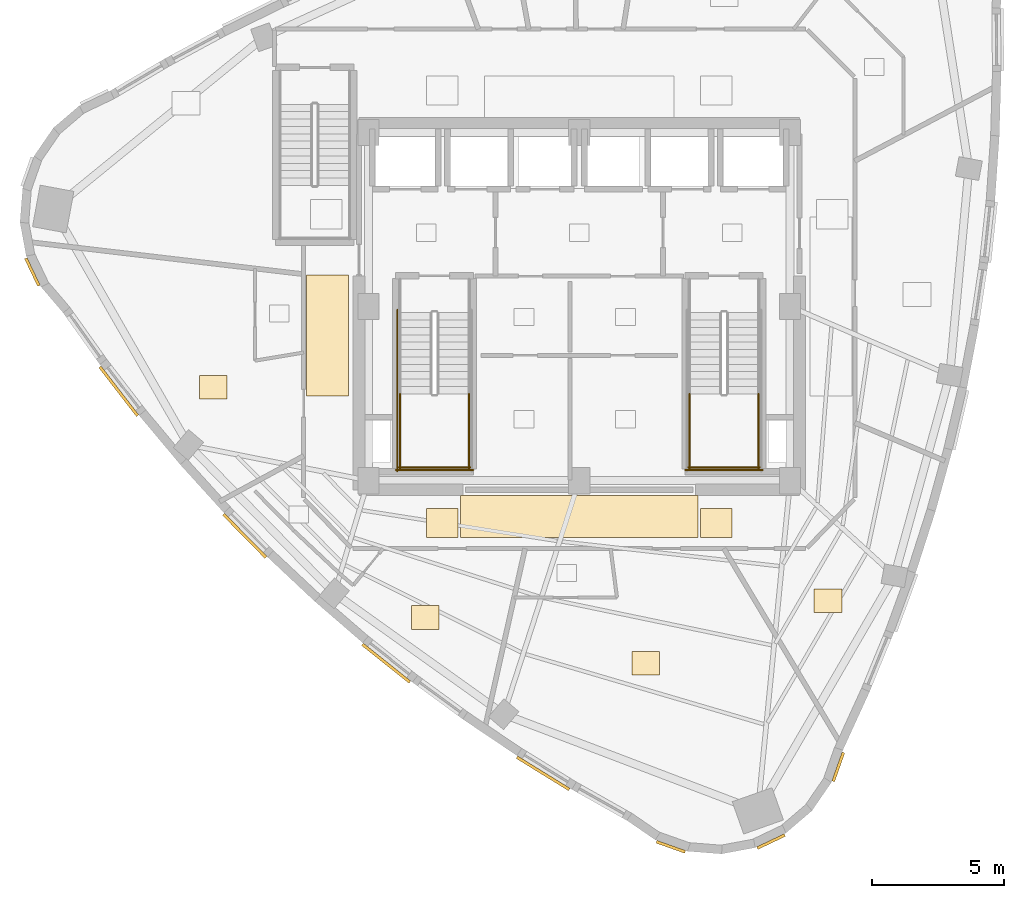
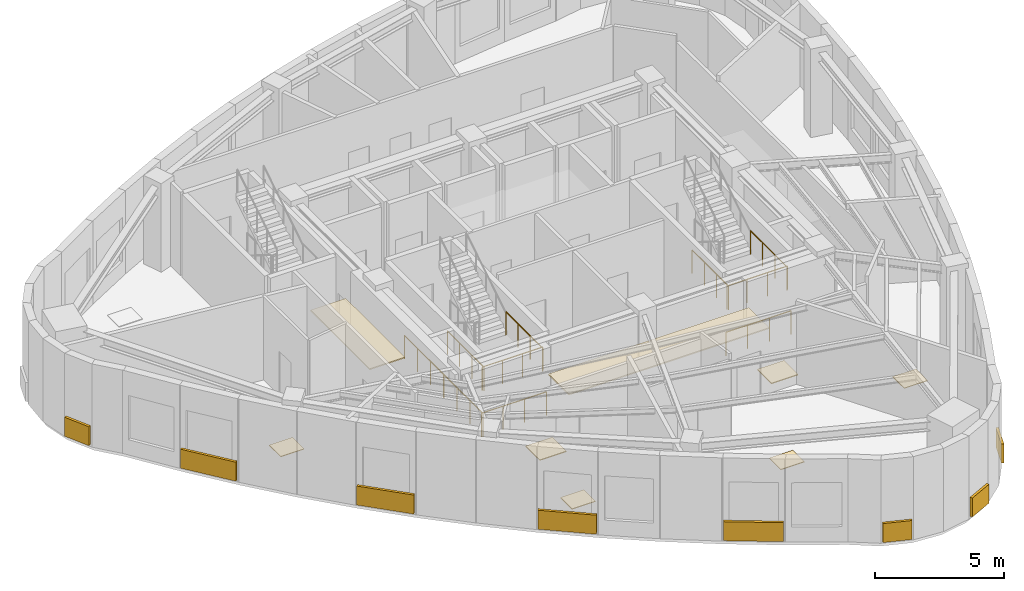
# One storey, part 7 of 9: 16 coverings, 9 railings.
"""IFC4 building model written with IfcOpenShell, lengths in metres."""

from ifc_helpers import new_model, si_unit, direction, frame, origin, origin_2d, place, context, subcontext, project, spatial, rectangle, circle, extrude, material, layer, layer_set, type_object, element, save


model = new_model("IFC4")

# Units and contexts
model_context = context("Model", 3, precision=1e-05, world=origin(), true_north=direction((0.0, 1.0)))
body_context = subcontext(model_context, "Body", "Model", "MODEL_VIEW")
ifc_project = project(units=[si_unit("LENGTHUNIT", "METRE"), si_unit("AREAUNIT", "SQUARE_METRE"), si_unit("VOLUMEUNIT", "CUBIC_METRE"), si_unit("PLANEANGLEUNIT", "RADIAN"), si_unit("MASSUNIT", "GRAM", prefix="KILO")], contexts=[model_context])

# Site, building, storey
site_placement = place(None, origin())
site = spatial("IfcSite", under=ifc_project, at=site_placement, CompositionType="ELEMENT")
building_placement = place(site_placement, origin())
building = spatial("IfcBuilding", under=site, at=building_placement, Name="Ndelora Gate Hotel", CompositionType="ELEMENT")
storey_placement = place(building_placement, frame((0.0, 0.0, 260.199951171875)))
storey = spatial("IfcBuildingStorey", under=building, at=storey_placement, Name="L65", CompositionType="ELEMENT", Elevation=260.199951171875)

# Coverings
ifc_material_1 = material(Name="Perforated Acoustic Gypsum Board", Category="gypsum")
ifc_layer_1 = layer(ifc_material_1, 0.054931640625)
ifc_layer_set_1 = layer_set([ifc_layer_1], Name="Perforated Acoustic Gypsum Board")
covering_type_1 = type_object("IfcCoveringType", Name="COV-CEIL-AC60", PredefinedType="CEILING", material=ifc_layer_set_1)
covering_1_placement = place(storey_placement, frame((-9.550048828125, -1.10009765625, 2.65234375), z_axis=(0.0, 0.0, 1.0), x_axis=(1.0, 0.0, 0.0)))
element("IfcCovering", 1, at=covering_1_placement, inside=storey, type_object=covering_type_1, Name="L65 Guest Corridor Acoustic Ceiling W", PredefinedType="CEILING", context=body_context, shape_type="SweptSolid", body=[
    extrude(rectangle(XDim=1.580078125, YDim=4.60009765625, at=origin_2d()), origin(), (0.0, 0.0, 1.0), 0.054931640625),
])
covering_2_placement = place(storey_placement, frame((0.0, -7.9599609375, 2.65234375), z_axis=(0.0, 0.0, 1.0), x_axis=(1.0, 0.0, 0.0)))
element("IfcCovering", 2, at=covering_2_placement, inside=storey, type_object=covering_type_1, Name="L65 Guest Corridor Acoustic Ceiling S", PredefinedType="CEILING", context=body_context, shape_type="SweptSolid", body=[
    extrude(rectangle(XDim=9.0, YDim=1.580078125, at=origin_2d()), origin(), (0.0, 0.0, 1.0), 0.054931640625),
])
ifc_material_2 = material(Name="Terracotta Fired Clay Brick Slip Cladding", Category="masonry")
ifc_layer_2 = layer(ifc_material_2, 0.110107421875)
ifc_layer_set_2 = layer_set([ifc_layer_2], Name="Terracotta Fired Clay Brick Slip Cladding")
covering_type_2 = type_object("IfcCoveringType", Name="COV-CLAD-BRK", PredefinedType="CLADDING", material=ifc_layer_set_2)
covering_3_placement = place(storey_placement, frame((-20.7412109375, 1.310791015625, 0.10009765625), z_axis=(0.0, 0.0, 1.0), x_axis=(-0.430511096808, 0.90258528435, 0.0)))
element("IfcCovering", 3, at=covering_3_placement, inside=storey, type_object=covering_type_2, Name="L65 Rounded-Corner Brick Cladding Band 7", PredefinedType="CLADDING", context=body_context, shape_type="SweptSolid", body=[
    extrude(rectangle(XDim=1.153076171875, YDim=0.110107421875, at=origin_2d()), origin(), (0.0, 0.0, 1.0), 0.89990234375),
])
covering_4_placement = place(storey_placement, frame((-17.46484375, -3.21337890625, 0.10009765625), z_axis=(0.0, 0.0, 1.0), x_axis=(-0.610974512974, 0.791650266529, 0.0)))
element("IfcCovering", 4, at=covering_4_placement, inside=storey, type_object=covering_type_2, Name="L65 Rounded-Corner Brick Cladding Band 10", PredefinedType="CLADDING", context=body_context, shape_type="SweptSolid", body=[
    extrude(rectangle(XDim=2.3369140625, YDim=0.110107421875, at=origin_2d()), origin(), (0.0, 0.0, 1.0), 0.89990234375),
])
for number, where, z_axis, x_axis, name in (
    (5, (-12.687744140625, -8.6962890625, 0.10009765625), (0.0, 0.0, 1.0), (-0.701158192968, 0.713005742217, 0.0), "L65 Rounded-Corner Brick Cladding Band 13"),
    (6, (-7.322509765625, -13.52734375, 0.10009765625), (0.0, 0.0, 1.0), (-0.782390810577, 0.622787780488, 0.0), "L65 Rounded-Corner Brick Cladding Band 16"),
):
    element("IfcCovering", number, at=place(storey_placement, frame(where, z_axis=z_axis, x_axis=x_axis)), inside=storey, type_object=covering_type_2, Name=name, PredefinedType="CLADDING", context=body_context, shape_type="SweptSolid", body=[
        extrude(rectangle(XDim=2.302001953125, YDim=0.110107421875, at=origin_2d()), origin(), (0.0, 0.0, 1.0), 0.89990234375),
    ])
covering_5_placement = place(storey_placement, frame((-1.3701171875, -17.705078125, 0.10009765625), z_axis=(0.0, 0.0, 1.0), x_axis=(-0.851177750474, 0.524877544859, 0.0)))
element("IfcCovering", 7, at=covering_5_placement, inside=storey, type_object=covering_type_2, Name="L65 Rounded-Corner Brick Cladding Band 19", PredefinedType="CLADDING", context=body_context, shape_type="SweptSolid", body=[
    extrude(rectangle(XDim=2.3369140625, YDim=0.110107421875, at=origin_2d()), origin(), (0.0, 0.0, 1.0), 0.89990234375),
])
for number, where, z_axis, x_axis, name in (
    (8, (3.4716796875, -20.490478515625, 0.10009765625), (0.0, 0.0, 1.0), (-0.942641491092, 0.333806859234, 0.0), "L65 Rounded-Corner Brick Cladding Band 22"),
    (9, (7.276123046875, -20.291259765625, 0.10009765625), (0.0, 0.0, 1.0), (0.90258528435, 0.430511096808, 0.0), "L65 Rounded-Corner Brick Cladding Band 25"),
    (10, (9.8251953125, -17.460205078125, 0.10009765625), (0.0, 0.0, 1.0), (0.333806859234, 0.942641491092, 0.0), "L65 Rounded-Corner Brick Cladding Band 28"),
):
    element("IfcCovering", number, at=place(storey_placement, frame(where, z_axis=z_axis, x_axis=x_axis)), inside=storey, type_object=covering_type_2, Name=name, PredefinedType="CLADDING", context=body_context, shape_type="SweptSolid", body=[
        extrude(rectangle(XDim=1.153076171875, YDim=0.110107421875, at=origin_2d()), origin(), (0.0, 0.0, 1.0), 0.89990234375),
    ])
ifc_material_3 = material(Name="Engineered Highland Oak Parquet", Category="wood")
ifc_layer_3 = layer(ifc_material_3, 0.030029296875)
ifc_layer_set_3 = layer_set([ifc_layer_3], Name="Engineered Highland Oak Parquet")
covering_type_3 = type_object("IfcCoveringType", Name="COV-FLR-PARQ", PredefinedType="FLOORING", material=ifc_layer_set_3)
for number, where, z_axis, x_axis, name in (
    (11, (-13.87451171875, -3.05712890625, 0.0), (0.0, 0.0, 1.0), (1.0, 0.0, 0.0), "L65 Crown Summit Suite 6801 Oak Parquet Flooring"),
    (12, (-5.843994140625, -11.7939453125, 0.0), (0.0, 0.0, 1.0), (1.0, 0.0, 0.0), "L65 Presidential Summit Suite 6802 Oak Parquet Flooring"),
    (13, (2.527587890625, -13.531982421875, 0.0), (0.0, 0.0, 1.0), (1.0, 0.0, 0.0), "L65 Crown Diplomatic Suite 6803 Oak Parquet Flooring"),
    (14, (9.435546875, -11.1572265625, 0.0), (0.0, 0.0, 1.0), (1.0, 0.0, 0.0), "L65 Summit Collector Study Oak Parquet Flooring"),
):
    element("IfcCovering", number, at=place(storey_placement, frame(where, z_axis=z_axis, x_axis=x_axis)), inside=storey, type_object=covering_type_3, Name=name, PredefinedType="FLOORING", context=body_context, shape_type="SweptSolid", body=[
        extrude(rectangle(XDim=1.050048828125, YDim=0.89990234375, at=origin_2d()), origin(), (0.0, 0.0, 1.0), 0.030029296875),
    ])
ifc_material_4 = material(Name="Polished Highland Stone Terrazzo", Category="masonry")
ifc_layer_4 = layer(ifc_material_4, 0.034912109375)
ifc_layer_set_4 = layer_set([ifc_layer_4], Name="Polished Highland Stone Terrazzo")
covering_type_4 = type_object("IfcCoveringType", Name="COV-FLR-TERZ", PredefinedType="FLOORING", material=ifc_layer_set_4)
for number, where, z_axis, x_axis, name in (
    (15, (-5.199951171875, -8.199951171875, 0.0), (0.0, 0.0, 1.0), (1.0, 0.0, 0.0), "L65 Corridor Threshold Terrazzo Inlay SW"),
    (16, (5.199951171875, -8.199951171875, 0.0), (0.0, 0.0, 1.0), (1.0, 0.0, 0.0), "L65 Corridor Threshold Terrazzo Inlay SE"),
):
    element("IfcCovering", number, at=place(storey_placement, frame(where, z_axis=z_axis, x_axis=x_axis)), inside=storey, type_object=covering_type_4, Name=name, PredefinedType="FLOORING", context=body_context, shape_type="SweptSolid", body=[
        extrude(rectangle(XDim=1.199951171875, YDim=1.10009765625, at=origin_2d()), origin(), (0.0, 0.0, 1.0), 0.034912109375),
    ])

# Railings
ifc_material_5 = material(Name="Painted Galvanized Steel Balustrade", Category="steel")
ifc_layer_5 = layer(ifc_material_5, 0.06005859375)
ifc_layer_set_5 = layer_set([ifc_layer_5], Name="Painted Galvanized Steel Balustrade")
railing_type = type_object("IfcRailingType", Name="RL-STAIR-GD", PredefinedType="GUARDRAIL", material=ifc_layer_set_5)
for number, where, name in (
    (17, (-6.800048828125, -3.31005859375, 2.10009765625), "L65 ST4 stair guard 3"),
    (18, (-4.179931640625, -3.31005859375, 2.10009765625), "L65 ST4 stair guard 4"),
):
    element("IfcRailing", number, at=place(storey_placement, frame(where)), inside=storey, type_object=railing_type, Name=name, PredefinedType="GUARDRAIL", context=body_context, shape_type="SweptSolid", body=[
        extrude(circle(Radius=0.02392578125, at=origin_2d()), frame((0.0, 0.0, 1.10595703125), z_axis=(0.0, -1.0, 0.0), x_axis=(1.0, 0.0, 0.0)), (0.0, 0.0, 1.0), 2.83984375),
        extrude(circle(Radius=0.02099609375, at=origin_2d()), origin(), (0.0, 0.0, 1.0), 1.081787109375),
        extrude(circle(Radius=0.02099609375, at=origin_2d()), frame((0.0, -0.946533203125, 0.0)), (0.0, 0.0, 1.0), 1.081787109375),
        extrude(circle(Radius=0.02099609375, at=origin_2d()), frame((0.0, -1.893310546875, 0.0)), (0.0, 0.0, 1.0), 1.081787109375),
        extrude(circle(Radius=0.02099609375, at=origin_2d()), frame((0.0, -2.83984375, 0.0)), (0.0, 0.0, 1.0), 1.081787109375),
    ])
railing_1_placement = place(storey_placement, frame((-6.85009765625, -6.10009765625, 2.10009765625)))
element("IfcRailing", 19, at=railing_1_placement, inside=storey, type_object=railing_type, Name="L65 ST4 stair guard 5", PredefinedType="GUARDRAIL", context=body_context, shape_type="SweptSolid", body=[
    extrude(circle(Radius=0.02392578125, at=origin_2d()), frame((0.0, 0.0, 1.10595703125), z_axis=(1.0, 0.0, 0.0), x_axis=(0.0, 1.0, 0.0)), (0.0, 0.0, 1.0), 2.72021484375),
    extrude(circle(Radius=0.02099609375, at=origin_2d()), origin(), (0.0, 0.0, 1.0), 1.081787109375),
    extrude(circle(Radius=0.02099609375, at=origin_2d()), frame((0.90673828125, 0.0, 0.0)), (0.0, 0.0, 1.0), 1.081787109375),
    extrude(circle(Radius=0.02099609375, at=origin_2d()), frame((1.8134765625, 0.0, 0.0)), (0.0, 0.0, 1.0), 1.081787109375),
    extrude(circle(Radius=0.02099609375, at=origin_2d()), frame((2.72021484375, 0.0, 0.0)), (0.0, 0.0, 1.0), 1.081787109375),
])
railing_2_placement = place(storey_placement, frame((-6.89990234375, -0.1298828125, 0.0)))
element("IfcRailing", 20, at=railing_2_placement, inside=storey, type_object=railing_type, Name="L65 ST4 stair guard 10", PredefinedType="GUARDRAIL", context=body_context, shape_type="SweptSolid", body=[
    extrude(circle(Radius=0.02392578125, at=origin_2d()), frame((0.0, 0.0, 1.10595703125), z_axis=(0.0, -1.0, 0.0), x_axis=(1.0, 0.0, 0.0)), (0.0, 0.0, 1.0), 6.1201171875),
    extrude(circle(Radius=0.02099609375, at=origin_2d()), origin(), (0.0, 0.0, 1.0), 1.081787109375),
    extrude(circle(Radius=0.02099609375, at=origin_2d()), frame((0.0, -1.02001953125, 0.0)), (0.0, 0.0, 1.0), 1.081787109375),
    extrude(circle(Radius=0.02099609375, at=origin_2d()), frame((0.0, -2.0400390625, 0.0)), (0.0, 0.0, 1.0), 1.081787109375),
    extrude(circle(Radius=0.02099609375, at=origin_2d()), frame((0.0, -3.06005859375, 0.0)), (0.0, 0.0, 1.0), 1.081787109375),
    extrude(circle(Radius=0.02099609375, at=origin_2d()), frame((0.0, -4.080078125, 0.0)), (0.0, 0.0, 1.0), 1.081787109375),
    extrude(circle(Radius=0.02099609375, at=origin_2d()), frame((0.0, -5.10009765625, 0.0)), (0.0, 0.0, 1.0), 1.081787109375),
    extrude(circle(Radius=0.02099609375, at=origin_2d()), frame((0.0, -6.1201171875, 0.0)), (0.0, 0.0, 1.0), 1.081787109375),
])
railing_3_placement = place(storey_placement, frame((-6.949951171875, -6.199951171875, 0.0)))
element("IfcRailing", 21, at=railing_3_placement, inside=storey, type_object=railing_type, Name="L65 ST4 stair guard 12", PredefinedType="GUARDRAIL", context=body_context, shape_type="SweptSolid", body=[
    extrude(circle(Radius=0.02392578125, at=origin_2d()), frame((0.0, 0.0, 1.10595703125), z_axis=(1.0, 0.0, 0.0), x_axis=(0.0, 1.0, 0.0)), (0.0, 0.0, 1.0), 2.919921875),
    extrude(circle(Radius=0.02099609375, at=origin_2d()), origin(), (0.0, 0.0, 1.0), 1.081787109375),
    extrude(circle(Radius=0.02099609375, at=origin_2d()), frame((0.973388671875, 0.0, 0.0)), (0.0, 0.0, 1.0), 1.081787109375),
    extrude(circle(Radius=0.02099609375, at=origin_2d()), frame((1.946533203125, 0.0, 0.0)), (0.0, 0.0, 1.0), 1.081787109375),
    extrude(circle(Radius=0.02099609375, at=origin_2d()), frame((2.919921875, 0.0, 0.0)), (0.0, 0.0, 1.0), 1.081787109375),
])
for number, where, name in (
    (22, (4.179931640625, -3.31005859375, 2.10009765625), "L65 ST5 stair guard 3"),
    (23, (6.800048828125, -3.31005859375, 2.10009765625), "L65 ST5 stair guard 4"),
):
    element("IfcRailing", number, at=place(storey_placement, frame(where)), inside=storey, type_object=railing_type, Name=name, PredefinedType="GUARDRAIL", context=body_context, shape_type="SweptSolid", body=[
        extrude(circle(Radius=0.02392578125, at=origin_2d()), frame((0.0, 0.0, 1.10595703125), z_axis=(0.0, -1.0, 0.0), x_axis=(1.0, 0.0, 0.0)), (0.0, 0.0, 1.0), 2.83984375),
        extrude(circle(Radius=0.02099609375, at=origin_2d()), origin(), (0.0, 0.0, 1.0), 1.081787109375),
        extrude(circle(Radius=0.02099609375, at=origin_2d()), frame((0.0, -0.946533203125, 0.0)), (0.0, 0.0, 1.0), 1.081787109375),
        extrude(circle(Radius=0.02099609375, at=origin_2d()), frame((0.0, -1.893310546875, 0.0)), (0.0, 0.0, 1.0), 1.081787109375),
        extrude(circle(Radius=0.02099609375, at=origin_2d()), frame((0.0, -2.83984375, 0.0)), (0.0, 0.0, 1.0), 1.081787109375),
    ])
railing_4_placement = place(storey_placement, frame((4.1298828125, -6.10009765625, 2.10009765625)))
element("IfcRailing", 24, at=railing_4_placement, inside=storey, type_object=railing_type, Name="L65 ST5 stair guard 5", PredefinedType="GUARDRAIL", context=body_context, shape_type="SweptSolid", body=[
    extrude(circle(Radius=0.02392578125, at=origin_2d()), frame((0.0, 0.0, 1.10595703125), z_axis=(1.0, 0.0, 0.0), x_axis=(0.0, 1.0, 0.0)), (0.0, 0.0, 1.0), 2.72021484375),
    extrude(circle(Radius=0.02099609375, at=origin_2d()), origin(), (0.0, 0.0, 1.0), 1.081787109375),
    extrude(circle(Radius=0.02099609375, at=origin_2d()), frame((0.90673828125, 0.0, 0.0)), (0.0, 0.0, 1.0), 1.081787109375),
    extrude(circle(Radius=0.02099609375, at=origin_2d()), frame((1.8134765625, 0.0, 0.0)), (0.0, 0.0, 1.0), 1.081787109375),
    extrude(circle(Radius=0.02099609375, at=origin_2d()), frame((2.72021484375, 0.0, 0.0)), (0.0, 0.0, 1.0), 1.081787109375),
])
railing_5_placement = place(storey_placement, frame((4.030029296875, -6.199951171875, 0.0)))
element("IfcRailing", 25, at=railing_5_placement, inside=storey, type_object=railing_type, Name="L65 ST5 stair guard 12", PredefinedType="GUARDRAIL", context=body_context, shape_type="SweptSolid", body=[
    extrude(circle(Radius=0.02392578125, at=origin_2d()), frame((0.0, 0.0, 1.10595703125), z_axis=(1.0, 0.0, 0.0), x_axis=(0.0, 1.0, 0.0)), (0.0, 0.0, 1.0), 2.919921875),
    extrude(circle(Radius=0.02099609375, at=origin_2d()), origin(), (0.0, 0.0, 1.0), 1.081787109375),
    extrude(circle(Radius=0.02099609375, at=origin_2d()), frame((0.973388671875, 0.0, 0.0)), (0.0, 0.0, 1.0), 1.081787109375),
    extrude(circle(Radius=0.02099609375, at=origin_2d()), frame((1.946533203125, 0.0, 0.0)), (0.0, 0.0, 1.0), 1.081787109375),
    extrude(circle(Radius=0.02099609375, at=origin_2d()), frame((2.919921875, 0.0, 0.0)), (0.0, 0.0, 1.0), 1.081787109375),
])

save(model, "model.ifc")
